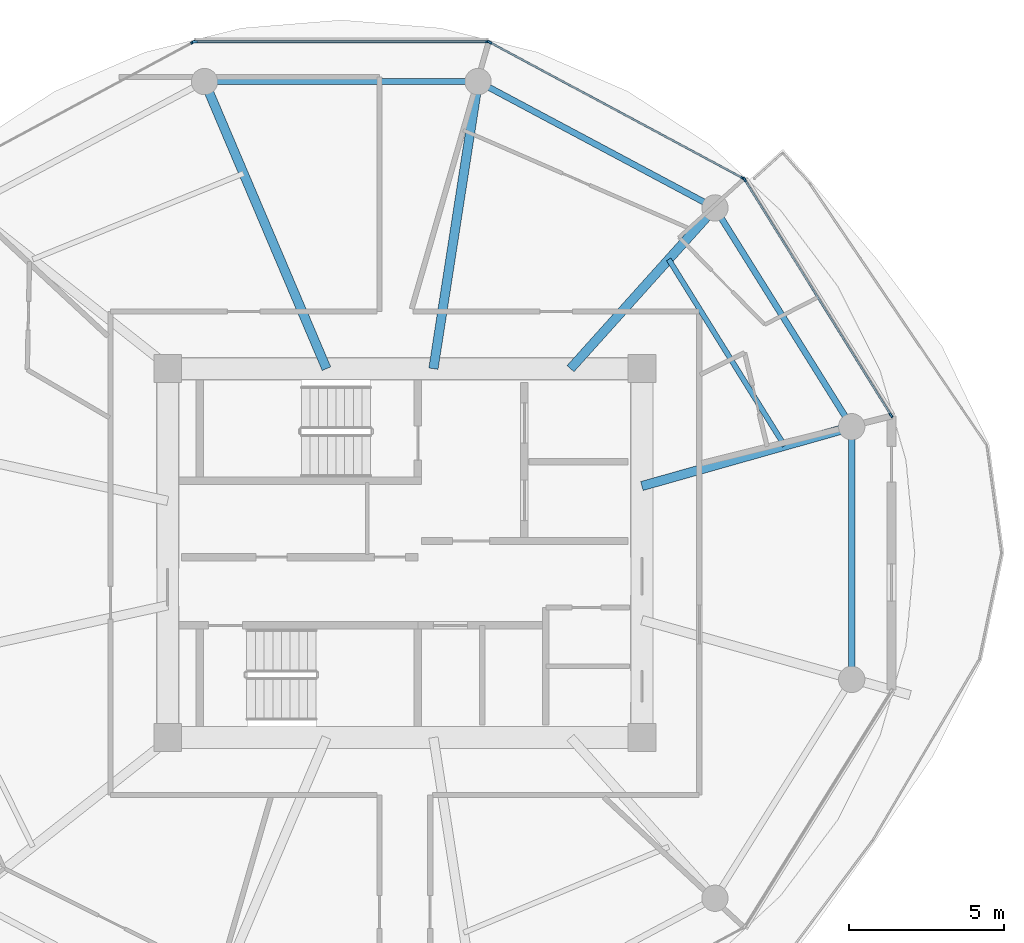
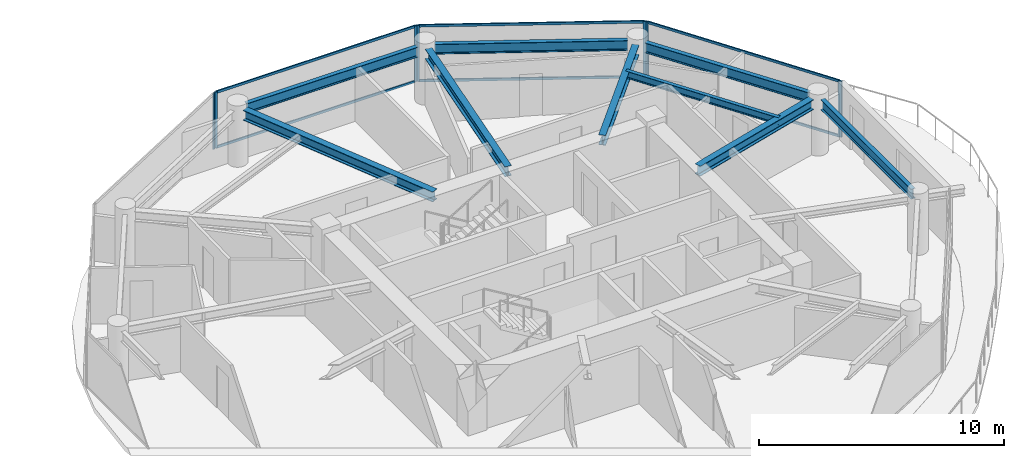
# One storey, part 11 of 23: 13 members, 9 beams, 4 elements without a shape of their own.
"""IFC4 building model written with IfcOpenShell, lengths in metres."""

from ifc_helpers import new_model, si_unit, direction, frame, origin, origin_2d, place, context, subcontext, project, spatial, rectangle, i_section, extrude, source, transform, mapped, material, layer, layer_set, material_profile, profile_set, type_object, type_shapes, element, aggregate, save


model = new_model("IFC4")

# Units and contexts
model_context = context("Model", 3, precision=1e-05, world=origin(), true_north=direction((0.0, 1.0)))
body_context = subcontext(model_context, "Body", "Model", "MODEL_VIEW")
ifc_project = project(units=[si_unit("LENGTHUNIT", "METRE"), si_unit("AREAUNIT", "SQUARE_METRE"), si_unit("VOLUMEUNIT", "CUBIC_METRE"), si_unit("PLANEANGLEUNIT", "RADIAN"), si_unit("MASSUNIT", "GRAM", prefix="KILO")], contexts=[model_context])

# Site, building, storey
site_placement = place(None, origin())
site = spatial("IfcSite", under=ifc_project, at=site_placement, CompositionType="ELEMENT")
building_placement = place(site_placement, origin())
building = spatial("IfcBuilding", under=site, at=building_placement, Name="Norrkilde Senior Care Towers", CompositionType="ELEMENT")
storey_placement = place(building_placement, frame((0.0, 0.0, 93.199951171875)))
storey = spatial("IfcBuildingStorey", under=building, at=storey_placement, Name="L28", CompositionType="ELEMENT", Elevation=93.199951171875)

# Beams
ifc_material_1 = material(Name="Steel S355", Category="steel")
ifc_material_profile_1 = material_profile(ifc_material_1, i_section(OverallWidth=0.199951171875, OverallDepth=0.5, WebThickness=0.01025390625, FlangeThickness=0.01611328125, FilletRadius=0.02099609375, at=origin_2d()), Name="IPE 500")
ifc_profile_set_1 = profile_set([ifc_material_profile_1], Name="Steel S355")
beam_type_1 = type_object("IfcBeamType", Name="Perimeter Ring Spandrel Z2 IPE500", PredefinedType="SPANDREL", material=ifc_profile_set_1)
shared_shape_1 = source(origin(), body_context, "Body", "SweptSolid", [
    extrude(i_section(OverallWidth=0.199951171875, OverallDepth=0.5, WebThickness=0.01025390625, FlangeThickness=0.01611328125, FilletRadius=0.02099609375, at=origin_2d()), origin(), (0.0, 0.0, 1.0), 7.892333984375),
])
beam_1_placement = place(storey_placement, frame((37.66650390625, 11.318115234375, 2.5400390625), z_axis=(-0.882350372282, 0.47059305194, 0.0), x_axis=(-0.47059305194, -0.882350372282, 0.0)))
element("IfcBeam", 1, at=beam_1_placement, inside=storey, type_object=beam_type_1, Name="L28 Drum E Perimeter Spandrel 02", PredefinedType="SPANDREL", context=body_context, shape_type="MappedRepresentation", body=[
    mapped(shared_shape_1, transform((0.0, 0.0, 0.0), x_axis=(1.0, 0.0, 0.0), y_axis=(0.0, 1.0, 0.0), z_axis=(0.0, 0.0, 1.0), scale=1.0)),
])
shared_shape_2 = source(origin(), body_context, "Body", "SweptSolid", [
    extrude(i_section(OverallWidth=0.199951171875, OverallDepth=0.5, WebThickness=0.01025390625, FlangeThickness=0.01611328125, FilletRadius=0.02099609375, at=origin_2d()), origin(), (0.0, 0.0, 1.0), 8.0556640625),
])
beam_2_placement = place(storey_placement, frame((29.977783203125, 15.21337890625, 2.5400390625), z_axis=(-1.0, 0.0, 0.0), x_axis=(0.0, -1.0, 0.0)))
element("IfcBeam", 2, at=beam_2_placement, inside=storey, type_object=beam_type_1, Name="L28 Drum E Perimeter Spandrel 03", PredefinedType="SPANDREL", context=body_context, shape_type="MappedRepresentation", body=[
    mapped(shared_shape_2, transform((0.0, 0.0, 0.0), x_axis=(1.0, 0.0, 0.0), y_axis=(0.0, 1.0, 0.0), z_axis=(0.0, 0.0, 1.0), scale=1.0)),
])
ifc_material_profile_2 = material_profile(ifc_material_1, i_section(OverallWidth=0.300048828125, OverallDepth=0.5, WebThickness=0.014404296875, FlangeThickness=0.028076171875, FilletRadius=0.027099609375, at=origin_2d()), Name="HEB 500")
ifc_profile_set_2 = profile_set([ifc_material_profile_2], Name="Steel S355")
beam_type_2 = type_object("IfcBeamType", Name="Radial Floor Beam Z2 HEB500", PredefinedType="BEAM", material=ifc_profile_set_2)
shared_shape_3 = source(origin(), body_context, "Body", "SweptSolid", [
    extrude(i_section(OverallWidth=0.300048828125, OverallDepth=0.5, WebThickness=0.014404296875, FlangeThickness=0.028076171875, FilletRadius=0.027099609375, at=origin_2d()), origin(), (0.0, 0.0, 1.0), 9.679443359375),
])
beam_3_placement = place(storey_placement, frame((25.472412109375, 5.949951171875, 2.5400390625), z_axis=(-0.390998033479, 0.920391513333, 0.0), x_axis=(-0.920391513333, -0.390998033479, 0.0)))
element("IfcBeam", 3, at=beam_3_placement, inside=storey, type_object=beam_type_2, Name="L28 Drum E Radial Floor Beam 04", PredefinedType="BEAM", context=body_context, shape_type="MappedRepresentation", body=[
    mapped(shared_shape_3, transform((0.0, 0.0, 0.0), x_axis=(1.0, 0.0, 0.0), y_axis=(0.0, 1.0, 0.0), z_axis=(0.0, 0.0, 1.0), scale=1.0)),
])
shared_shape_4 = source(origin(), body_context, "Body", "SweptSolid", [
    extrude(i_section(OverallWidth=0.300048828125, OverallDepth=0.5, WebThickness=0.014404296875, FlangeThickness=0.028076171875, FilletRadius=0.027099609375, at=origin_2d()), origin(), (0.0, 0.0, 1.0), 8.989501953125),
])
beam_4_placement = place(storey_placement, frame((28.924072265625, 5.949951171875, 2.5400390625), z_axis=(0.153471298636, 0.988153105796, 0.0), x_axis=(-0.988153105796, 0.153471298636, 0.0)))
element("IfcBeam", 4, at=beam_4_placement, inside=storey, type_object=beam_type_2, Name="L28 Drum E Radial Floor Beam 03", PredefinedType="BEAM", context=body_context, shape_type="MappedRepresentation", body=[
    mapped(shared_shape_4, transform((0.0, 0.0, 0.0), x_axis=(1.0, 0.0, 0.0), y_axis=(0.0, 1.0, 0.0), z_axis=(0.0, 0.0, 1.0), scale=1.0)),
])
shared_shape_5 = source(origin(), body_context, "Body", "SweptSolid", [
    extrude(i_section(OverallWidth=0.199951171875, OverallDepth=0.5, WebThickness=0.01025390625, FlangeThickness=0.01611328125, FilletRadius=0.02099609375, at=origin_2d()), origin(), (0.0, 0.0, 1.0), 7.556396484375),
])
beam_5_placement = place(storey_placement, frame((42.215087890625, 4.40283203125, 2.5400390625), z_axis=(-0.530004748437, 0.847994673706, 0.0), x_axis=(-0.847994673706, -0.530004748437, 0.0)))
element("IfcBeam", 5, at=beam_5_placement, inside=storey, type_object=beam_type_1, Name="L28 Drum E Perimeter Spandrel 01", PredefinedType="SPANDREL", context=body_context, shape_type="MappedRepresentation", body=[
    mapped(shared_shape_5, transform((0.0, 0.0, 0.0), x_axis=(1.0, 0.0, 0.0), y_axis=(0.0, 1.0, 0.0), z_axis=(0.0, 0.0, 1.0), scale=1.0)),
])
shared_shape_6 = source(origin(), body_context, "Body", "SweptSolid", [
    extrude(i_section(OverallWidth=0.300048828125, OverallDepth=0.5, WebThickness=0.014404296875, FlangeThickness=0.028076171875, FilletRadius=0.027099609375, at=origin_2d()), origin(), (0.0, 0.0, 1.0), 6.587890625),
])
beam_6_placement = place(storey_placement, frame((33.345947265625, 5.949951171875, 2.5400390625), z_axis=(0.668315438605, 0.743877997068, 0.0), x_axis=(-0.743877997068, 0.668315438605, 0.0)))
element("IfcBeam", 6, at=beam_6_placement, inside=storey, type_object=beam_type_2, Name="L28 Drum E Radial Floor Beam 02", PredefinedType="BEAM", context=body_context, shape_type="MappedRepresentation", body=[
    mapped(shared_shape_6, transform((0.0, 0.0, 0.0), x_axis=(1.0, 0.0, 0.0), y_axis=(0.0, 1.0, 0.0), z_axis=(0.0, 0.0, 1.0), scale=1.0)),
])
shared_shape_7 = source(origin(), body_context, "Body", "SweptSolid", [
    extrude(i_section(OverallWidth=0.199951171875, OverallDepth=0.5, WebThickness=0.01025390625, FlangeThickness=0.01611328125, FilletRadius=0.02099609375, at=origin_2d()), origin(), (0.0, 0.0, 1.0), 7.3828125),
])
type_shapes(beam_type_1, [shared_shape_1, shared_shape_2, shared_shape_5, shared_shape_7])
beam_7_placement = place(storey_placement, frame((42.4189453125, -3.69140625, 2.5400390625), z_axis=(0.0, 1.0, 0.0), x_axis=(-1.0, 0.0, 0.0)))
element("IfcBeam", 7, at=beam_7_placement, inside=storey, type_object=beam_type_1, Name="L28 Drum E Perimeter Spandrel 12", PredefinedType="SPANDREL", context=body_context, shape_type="MappedRepresentation", body=[
    mapped(shared_shape_7, transform((0.0, 0.0, 0.0), x_axis=(1.0, 0.0, 0.0), y_axis=(0.0, 1.0, 0.0), z_axis=(0.0, 0.0, 1.0), scale=1.0)),
])
shared_shape_8 = source(origin(), body_context, "Body", "SweptSolid", [
    extrude(i_section(OverallWidth=0.300048828125, OverallDepth=0.5, WebThickness=0.014404296875, FlangeThickness=0.028076171875, FilletRadius=0.027099609375, at=origin_2d()), origin(), (0.0, 0.0, 1.0), 6.6494140625),
])
type_shapes(beam_type_2, [shared_shape_3, shared_shape_4, shared_shape_6, shared_shape_8])
beam_8_placement = place(storey_placement, frame((35.64990234375, 2.162841796875, 2.5400390625), z_axis=(0.962289138357, 0.27202870106, 0.0), x_axis=(-0.27202870106, 0.962289138357, 0.0)))
element("IfcBeam", 8, at=beam_8_placement, inside=storey, type_object=beam_type_2, Name="L28 Drum E Radial Floor Beam 01", PredefinedType="BEAM", context=body_context, shape_type="MappedRepresentation", body=[
    mapped(shared_shape_8, transform((0.0, 0.0, 0.0), x_axis=(1.0, 0.0, 0.0), y_axis=(0.0, 1.0, 0.0), z_axis=(0.0, 0.0, 1.0), scale=1.0)),
])
ifc_material_profile_3 = material_profile(ifc_material_1, i_section(OverallWidth=0.169921875, OverallDepth=0.360107421875, WebThickness=0.008056640625, FlangeThickness=0.0126953125, FilletRadius=0.01806640625, at=origin_2d()), Name="IPE 360")
ifc_profile_set_3 = profile_set([ifc_material_profile_3], Name="Steel S355")
beam_type_3 = type_object("IfcBeamType", Name="Secondary Floor Joist IPE360", PredefinedType="JOIST", material=ifc_profile_set_3)
shared_shape_9 = source(origin(), body_context, "Body", "SweptSolid", [
    extrude(i_section(OverallWidth=0.169921875, OverallDepth=0.360107421875, WebThickness=0.008056640625, FlangeThickness=0.0126953125, FilletRadius=0.01806640625, at=origin_2d()), origin(), (0.0, 0.0, 1.0), 7.080078125),
])
type_shapes(beam_type_3, [shared_shape_9])
beam_9_placement = place(storey_placement, frame((40.2529296875, 3.464111328125, 2.610107421875), z_axis=(-0.527961009189, 0.849268610497, 0.0), x_axis=(-0.849268610497, -0.527961009189, 0.0)))
element("IfcBeam", 9, at=beam_9_placement, inside=storey, type_object=beam_type_3, Name="L28 Drum E Secondary Floor Joist 1", PredefinedType="JOIST", context=body_context, shape_type="MappedRepresentation", body=[
    mapped(shared_shape_9, transform((0.0, 0.0, 0.0), x_axis=(1.0, 0.0, 0.0), y_axis=(0.0, 1.0, 0.0), z_axis=(0.0, 0.0, 1.0), scale=1.0)),
])

# Curtain wall, members
ifc_material_2 = material(Name="Triple Low-E Insulated Glazing", Category="glass")
ifc_layer = layer(ifc_material_2, 0.195068359375)
ifc_layer_set = layer_set([ifc_layer], Name="Triple Low-E Insulated Glazing")
curtain_wall_type = type_object("IfcCurtainWallType", Name="CW3 Zone 2 Assisted Living Curtain Wall", PredefinedType="NOTDEFINED", material=ifc_layer_set)
curtain_wall_1_placement = place(storey_placement, origin())
curtain_wall_1 = element("IfcCurtainWall", 10, at=curtain_wall_1_placement, inside=storey, type_object=curtain_wall_type, Name="L28 Drum E Curtain Wall 00", PredefinedType="NOTDEFINED")
ifc_material_3 = material(Name="Anodised Aluminium", Category="aluminium")
ifc_material_profile_4 = material_profile(ifc_material_3, rectangle(XDim=0.06494140625, YDim=0.159912109375, at=origin_2d()), Name="ALU MULL 65x160")
ifc_profile_set_4 = profile_set([ifc_material_profile_4], Name="Anodised Aluminium")
member_type_1 = type_object("IfcMemberType", Name="Curtain Wall Mullion Z1-Z2 65x160", PredefinedType="MULLION", material=ifc_profile_set_4)
shared_shape_10 = source(origin(), body_context, "Body", "SweptSolid", [
    extrude(rectangle(XDim=0.06494140625, YDim=0.159912109375, at=origin_2d()), origin(), (0.0, 0.0, 1.0), 2.7900390625),
])
type_shapes(member_type_1, [shared_shape_10])
member_1_placement = place(storey_placement, frame((38.9638671875, 12.0498046875, 0.0), z_axis=(0.0, 0.0, 1.0), x_axis=(0.849410171862, 0.527733228002, 0.0)))
member_1 = element("IfcMember", 11, at=member_1_placement, type_object=member_type_1, Name="CW-3 mullion 1", PredefinedType="MULLION", context=body_context, shape_type="MappedRepresentation", body=[
    mapped(shared_shape_10, transform((0.0, 0.0, 0.0), x_axis=(1.0, 0.0, 0.0), y_axis=(0.0, 1.0, 0.0), z_axis=(0.0, 0.0, 1.0), scale=1.0)),
])
member_2_placement = place(storey_placement, frame((43.6865234375, 4.4482421875, 0.0), z_axis=(0.0, 0.0, 1.0), x_axis=(0.849410171862, 0.527733228002, 0.0)))
member_2 = element("IfcMember", 12, at=member_2_placement, type_object=member_type_1, Name="CW-3 mullion 2", PredefinedType="MULLION", context=body_context, shape_type="MappedRepresentation", body=[
    mapped(shared_shape_10, transform((0.0, 0.0, 0.0), x_axis=(1.0, 0.0, 0.0), y_axis=(0.0, 1.0, 0.0), z_axis=(0.0, 0.0, 1.0), scale=1.0)),
])

curtain_wall_2_placement = place(storey_placement, origin())
curtain_wall_2 = element("IfcCurtainWall", 13, at=curtain_wall_2_placement, inside=storey, type_object=curtain_wall_type, Name="L28 Drum E Curtain Wall 01", PredefinedType="NOTDEFINED")
member_3_placement = place(storey_placement, frame((30.73583984375, 16.482666015625, 0.0), z_axis=(0.0, 0.0, 1.0), x_axis=(0.472769402511, 0.881186184668, 0.0)))
member_3 = element("IfcMember", 14, at=member_3_placement, type_object=member_type_1, Name="CW-3 mullion 1", PredefinedType="MULLION", context=body_context, shape_type="MappedRepresentation", body=[
    mapped(shared_shape_10, transform((0.0, 0.0, 0.0), x_axis=(1.0, 0.0, 0.0), y_axis=(0.0, 1.0, 0.0), z_axis=(0.0, 0.0, 1.0), scale=1.0)),
])
member_4_placement = place(storey_placement, frame((38.91796875, 12.0927734375, 0.0), z_axis=(0.0, 0.0, 1.0), x_axis=(0.472769402511, 0.881186184668, 0.0)))
member_4 = element("IfcMember", 15, at=member_4_placement, type_object=member_type_1, Name="CW-3 mullion 2", PredefinedType="MULLION", context=body_context, shape_type="MappedRepresentation", body=[
    mapped(shared_shape_10, transform((0.0, 0.0, 0.0), x_axis=(1.0, 0.0, 0.0), y_axis=(0.0, 1.0, 0.0), z_axis=(0.0, 0.0, 1.0), scale=1.0)),
])

curtain_wall_3_placement = place(storey_placement, origin())
curtain_wall_3 = element("IfcCurtainWall", 16, at=curtain_wall_3_placement, inside=storey, type_object=curtain_wall_type, Name="L28 Drum E Curtain Wall 02", PredefinedType="NOTDEFINED")
member_5_placement = place(storey_placement, frame((21.225341796875, 16.498046875, 0.0), z_axis=(0.0, 0.0, 1.0), x_axis=(0.0, 1.0, 0.0)))
member_5 = element("IfcMember", 17, at=member_5_placement, type_object=member_type_1, Name="CW-3 mullion 1", PredefinedType="MULLION", context=body_context, shape_type="MappedRepresentation", body=[
    mapped(shared_shape_10, transform((0.0, 0.0, 0.0), x_axis=(1.0, 0.0, 0.0), y_axis=(0.0, 1.0, 0.0), z_axis=(0.0, 0.0, 1.0), scale=1.0)),
])
member_6_placement = place(storey_placement, frame((30.674560546875, 16.498046875, 0.0), z_axis=(0.0, 0.0, 1.0), x_axis=(0.0, 1.0, 0.0)))
member_6 = element("IfcMember", 18, at=member_6_placement, type_object=member_type_1, Name="CW-3 mullion 2", PredefinedType="MULLION", context=body_context, shape_type="MappedRepresentation", body=[
    mapped(shared_shape_10, transform((0.0, 0.0, 0.0), x_axis=(1.0, 0.0, 0.0), y_axis=(0.0, 1.0, 0.0), z_axis=(0.0, 0.0, 1.0), scale=1.0)),
])

# Curtain wall, member
curtain_wall_4_placement = place(storey_placement, origin())
curtain_wall_4 = element("IfcCurtainWall", 19, at=curtain_wall_4_placement, inside=storey, type_object=curtain_wall_type, Name="L28 Drum E Curtain Wall 03", PredefinedType="NOTDEFINED")
member_7_placement = place(storey_placement, frame((21.164306640625, 16.482666015625, 0.0), z_axis=(0.0, 0.0, 1.0), x_axis=(-0.472769402511, 0.881186184668, 0.0)))
member_7 = element("IfcMember", 20, at=member_7_placement, type_object=member_type_1, Name="CW-3 mullion 2", PredefinedType="MULLION", context=body_context, shape_type="MappedRepresentation", body=[
    mapped(shared_shape_10, transform((0.0, 0.0, 0.0), x_axis=(1.0, 0.0, 0.0), y_axis=(0.0, 1.0, 0.0), z_axis=(0.0, 0.0, 1.0), scale=1.0)),
])
aggregate(curtain_wall_4, [member_7])

# Member
ifc_material_profile_5 = material_profile(ifc_material_3, rectangle(XDim=0.06005859375, YDim=0.1201171875, at=origin_2d()), Name="ALU TRAN 60x120")
ifc_profile_set_5 = profile_set([ifc_material_profile_5], Name="Anodised Aluminium")
member_type_2 = type_object("IfcMemberType", Name="Curtain Wall Transom Typical 60x120", PredefinedType="USERDEFINED", material=ifc_profile_set_5)
shared_shape_11 = source(origin(), body_context, "Body", "SweptSolid", [
    extrude(rectangle(XDim=0.06005859375, YDim=0.1201171875, at=origin_2d()), origin(), (0.0, 0.0, 1.0), 8.88427734375),
])
member_8_placement = place(storey_placement, frame((38.98095703125, 12.022216796875, 0.030029296875), z_axis=(0.527729466743, -0.849412508697, 0.0), x_axis=(0.849412508697, 0.527729466743, 0.0)))
member_8 = element("IfcMember", 21, at=member_8_placement, type_object=member_type_2, Name="CW-3 transom 1.1", ObjectType="TRANSOM", PredefinedType="USERDEFINED", context=body_context, shape_type="MappedRepresentation", body=[
    mapped(shared_shape_11, transform((0.0, 0.0, 0.0), x_axis=(1.0, 0.0, 0.0), y_axis=(0.0, 1.0, 0.0), z_axis=(0.0, 0.0, 1.0), scale=1.0)),
])

member_9_placement = place(storey_placement, frame((38.98095703125, 12.022216796875, 2.760009765625), z_axis=(0.527729466743, -0.849412508697, 0.0), x_axis=(0.849412508697, 0.527729466743, 0.0)))
member_9 = element("IfcMember", 22, at=member_9_placement, type_object=member_type_2, Name="CW-3 transom 1.2", ObjectType="TRANSOM", PredefinedType="USERDEFINED", context=body_context, shape_type="MappedRepresentation", body=[
    mapped(shared_shape_11, transform((0.0, 0.0, 0.0), x_axis=(1.0, 0.0, 0.0), y_axis=(0.0, 1.0, 0.0), z_axis=(0.0, 0.0, 1.0), scale=1.0)),
])

aggregate(curtain_wall_1, [member_1, member_2, member_8, member_9])

shared_shape_12 = source(origin(), body_context, "Body", "SweptSolid", [
    extrude(rectangle(XDim=0.06005859375, YDim=0.1201171875, at=origin_2d()), origin(), (0.0, 0.0, 1.0), 9.220458984375),
])
member_10_placement = place(storey_placement, frame((30.764404296875, 16.46728515625, 0.030029296875), z_axis=(0.881188517866, -0.472765053681, 0.0), x_axis=(0.472765053681, 0.881188517866, 0.0)))
member_10 = element("IfcMember", 23, at=member_10_placement, type_object=member_type_2, Name="CW-3 transom 1.1", ObjectType="TRANSOM", PredefinedType="USERDEFINED", context=body_context, shape_type="MappedRepresentation", body=[
    mapped(shared_shape_12, transform((0.0, 0.0, 0.0), x_axis=(1.0, 0.0, 0.0), y_axis=(0.0, 1.0, 0.0), z_axis=(0.0, 0.0, 1.0), scale=1.0)),
])

member_11_placement = place(storey_placement, frame((30.764404296875, 16.46728515625, 2.760009765625), z_axis=(0.881188517866, -0.472765053681, 0.0), x_axis=(0.472765053681, 0.881188517866, 0.0)))
member_11 = element("IfcMember", 24, at=member_11_placement, type_object=member_type_2, Name="CW-3 transom 1.2", ObjectType="TRANSOM", PredefinedType="USERDEFINED", context=body_context, shape_type="MappedRepresentation", body=[
    mapped(shared_shape_12, transform((0.0, 0.0, 0.0), x_axis=(1.0, 0.0, 0.0), y_axis=(0.0, 1.0, 0.0), z_axis=(0.0, 0.0, 1.0), scale=1.0)),
])

aggregate(curtain_wall_2, [member_3, member_4, member_10, member_11])

shared_shape_13 = source(origin(), body_context, "Body", "SweptSolid", [
    extrude(rectangle(XDim=0.06005859375, YDim=0.1201171875, at=origin_2d()), origin(), (0.0, 0.0, 1.0), 9.38427734375),
])
type_shapes(member_type_2, [shared_shape_11, shared_shape_12, shared_shape_13])
member_12_placement = place(storey_placement, frame((21.2578125, 16.498046875, 0.030029296875), z_axis=(1.0, 0.0, 0.0), x_axis=(0.0, 1.0, 0.0)))
member_12 = element("IfcMember", 25, at=member_12_placement, type_object=member_type_2, Name="CW-3 transom 1.1", ObjectType="TRANSOM", PredefinedType="USERDEFINED", context=body_context, shape_type="MappedRepresentation", body=[
    mapped(shared_shape_13, transform((0.0, 0.0, 0.0), x_axis=(1.0, 0.0, 0.0), y_axis=(0.0, 1.0, 0.0), z_axis=(0.0, 0.0, 1.0), scale=1.0)),
])

member_13_placement = place(storey_placement, frame((21.2578125, 16.498046875, 2.760009765625), z_axis=(1.0, 0.0, 0.0), x_axis=(0.0, 1.0, 0.0)))
member_13 = element("IfcMember", 26, at=member_13_placement, type_object=member_type_2, Name="CW-3 transom 1.2", ObjectType="TRANSOM", PredefinedType="USERDEFINED", context=body_context, shape_type="MappedRepresentation", body=[
    mapped(shared_shape_13, transform((0.0, 0.0, 0.0), x_axis=(1.0, 0.0, 0.0), y_axis=(0.0, 1.0, 0.0), z_axis=(0.0, 0.0, 1.0), scale=1.0)),
])

aggregate(curtain_wall_3, [member_5, member_6, member_12, member_13])

save(model, "model.ifc")
